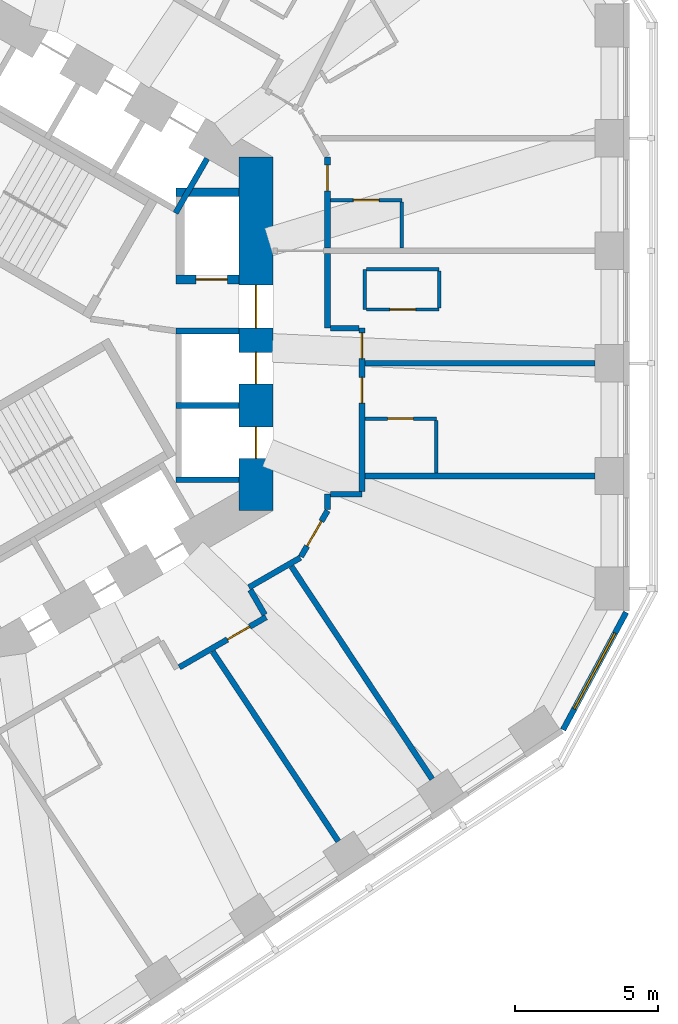
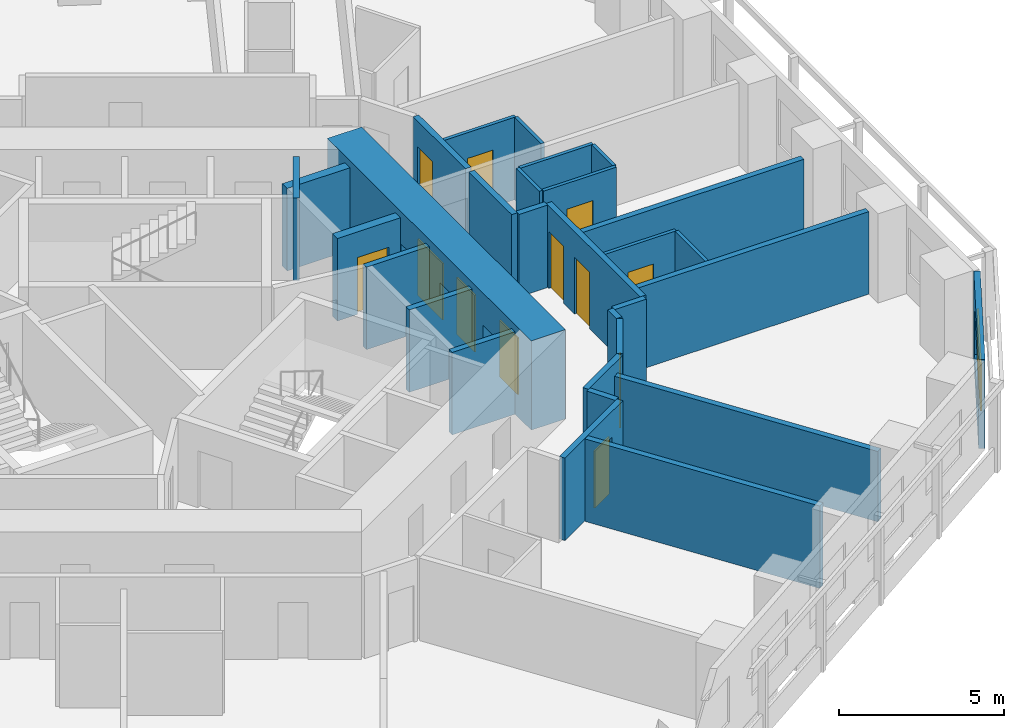
# One storey, part 6 of 12: 30 walls, 12 doors, 1 window, 13 openings.
"""IFC4 building model written with IfcOpenShell, lengths in metres."""

from ifc_helpers import new_model, si_unit, direction, frame, frame_2d, origin, place, context, subcontext, project, spatial, rectangle, extrude, material, layer, layer_set, type_object, element, fill, save


model = new_model("IFC4")

# Units and contexts
model_context = context("Model", 3, precision=1e-05, world=origin(), true_north=direction((0.0, 1.0)))
body_context = subcontext(model_context, "Body", "Model", "MODEL_VIEW")
ifc_project = project(units=[si_unit("LENGTHUNIT", "METRE"), si_unit("AREAUNIT", "SQUARE_METRE"), si_unit("VOLUMEUNIT", "CUBIC_METRE"), si_unit("PLANEANGLEUNIT", "RADIAN"), si_unit("MASSUNIT", "GRAM", prefix="KILO")], contexts=[model_context])

# Site, building, storey
site_placement = place(None, origin())
site = spatial("IfcSite", under=ifc_project, at=site_placement, CompositionType="ELEMENT")
building_placement = place(site_placement, origin())
building = spatial("IfcBuilding", under=site, at=building_placement, Name="Vanh Sen Convention Tower", CompositionType="ELEMENT")
storey_placement = place(building_placement, frame((0.0, 0.0, 44.0)))
storey = spatial("IfcBuildingStorey", under=building, at=storey_placement, Name="L07", CompositionType="ELEMENT", Elevation=44.0)

# Wall, opening, door
ifc_material_1 = material(Name="Moisture-resistant gypsum board on steel studs", Category="steel")
ifc_layer_1 = layer(ifc_material_1, 0.1201171875)
ifc_layer_set_1 = layer_set([ifc_layer_1], Name="Moisture-resistant gypsum board on steel studs")
wall_type_1 = type_object("IfcWallType", Name="Bathroom partition 120", PredefinedType="PARTITIONING", material=ifc_layer_set_1)
wall_1_placement = place(storey_placement, frame((12.699951171875, 4.677490234375, 0.0), z_axis=(0.0, 0.0, 1.0), x_axis=(1.0, 0.0, 0.0)))
wall_1 = element("IfcWall", 1, at=wall_1_placement, inside=storey, type_object=wall_type_1, Name="Bathroom partition 120", PredefinedType="PARTITIONING", context=body_context, shape_type="SweptSolid", body=[
    extrude(rectangle(XDim=2.5, YDim=0.1201171875, at=frame_2d((1.25, 0.0))), origin(), (0.0, 0.0, 1.0), 3.050048828125),
])
opening_1_placement = place(wall_1_placement, frame((0.800048828125, 0.0, 0.0)))
opening_1 = element("IfcOpeningElement", 2, at=opening_1_placement, cuts=wall_1, Name="Opening D07106", PredefinedType="OPENING", context=body_context, shape_type="SweptSolid", body=[
    extrude(rectangle(XDim=0.89990234375, YDim=2.10009765625, at=frame_2d((0.449951171875, 1.050048828125))), frame((0.0, 0.070068359375, 0.0), z_axis=(0.0, -1.0, 0.0), x_axis=(1.0, 0.0, 0.0)), (0.0, 0.0, 1.0), 0.14013671875),
])
ifc_material_2 = material(Name="Laminate door in steel frame", Category="steel")
door_type_1 = type_object("IfcDoorType", Name="En-suite door 900", OperationType="SINGLE_SWING_LEFT", PredefinedType="DOOR", material=ifc_material_2)
door_1_placement = place(opening_1_placement, origin())
door_1 = element("IfcDoor", 3, at=door_1_placement, inside=storey, type_object=door_type_1, Name="En-suite door D07106", OperationType="SINGLE_SWING_LEFT", OverallHeight=2.10009765625, OverallWidth=0.89990234375, PredefinedType="DOOR", context=body_context, shape_type="SweptSolid", body=[
    extrude(rectangle(XDim=0.89990234375, YDim=2.10009765625, at=frame_2d((0.449951171875, 1.050048828125))), frame((0.0, 0.02490234375, 0.0), z_axis=(0.0, -1.0, 0.0), x_axis=(1.0, 0.0, 0.0)), (0.0, 0.0, 1.0), 0.050048828125),
])
fill(opening_1, door_1)

wall_2_placement = place(storey_placement, frame((13.90087890625, -2.964599609375, 0.0), z_axis=(0.0, 0.0, 1.0), x_axis=(1.0, 0.0, 0.0)))
wall_2 = element("IfcWall", 4, at=wall_2_placement, inside=storey, type_object=wall_type_1, Name="Bathroom partition 120", PredefinedType="PARTITIONING", context=body_context, shape_type="SweptSolid", body=[
    extrude(rectangle(XDim=2.5, YDim=0.1201171875, at=frame_2d((1.25, 0.0))), origin(), (0.0, 0.0, 1.0), 3.050048828125),
])
opening_2_placement = place(wall_2_placement, frame((0.800048828125, 0.0, 0.0)))
opening_2 = element("IfcOpeningElement", 5, at=opening_2_placement, cuts=wall_2, Name="Opening D07102", PredefinedType="OPENING", context=body_context, shape_type="SweptSolid", body=[
    extrude(rectangle(XDim=0.89990234375, YDim=2.10009765625, at=frame_2d((0.449951171875, 1.050048828125))), frame((0.0, 0.070068359375, 0.0), z_axis=(0.0, -1.0, 0.0), x_axis=(1.0, 0.0, 0.0)), (0.0, 0.0, 1.0), 0.14013671875),
])
door_2_placement = place(opening_2_placement, origin())
door_2 = element("IfcDoor", 6, at=door_2_placement, inside=storey, type_object=door_type_1, Name="En-suite door D07102", OperationType="SINGLE_SWING_LEFT", OverallHeight=2.10009765625, OverallWidth=0.89990234375, PredefinedType="DOOR", context=body_context, shape_type="SweptSolid", body=[
    extrude(rectangle(XDim=0.89990234375, YDim=2.10009765625, at=frame_2d((0.449951171875, 1.050048828125))), frame((0.0, 0.02490234375, 0.0), z_axis=(0.0, -1.0, 0.0), x_axis=(1.0, 0.0, 0.0)), (0.0, 0.0, 1.0), 0.050048828125),
])
fill(opening_2, door_2)

# Walls
wall_3_placement = place(storey_placement, frame((13.89990234375, 0.852783203125, 0.0), z_axis=(0.0, 0.0, 1.0), x_axis=(0.0, 1.0, 0.0)))
element("IfcWall", 7, at=wall_3_placement, inside=storey, type_object=wall_type_1, Name="Bathroom partition 120", PredefinedType="PARTITIONING", context=body_context, shape_type="SweptSolid", body=[
    extrude(rectangle(XDim=1.39990234375, YDim=0.1201171875, at=frame_2d((0.699951171875, 0.0))), origin(), (0.0, 0.0, 1.0), 3.050048828125),
])
wall_4_placement = place(storey_placement, frame((13.9599609375, 2.252685546875, 0.0), z_axis=(0.0, 0.0, 1.0), x_axis=(1.0, 0.0, 0.0)))
element("IfcWall", 8, at=wall_4_placement, inside=storey, type_object=wall_type_1, Name="Bathroom partition 120", PredefinedType="PARTITIONING", context=body_context, shape_type="SweptSolid", body=[
    extrude(rectangle(XDim=2.5400390625, YDim=0.1201171875, at=frame_2d((1.27001953125, 0.0))), origin(), (0.0, 0.0, 1.0), 3.050048828125),
])
wall_5_placement = place(storey_placement, frame((15.199951171875, 4.61767578125, 0.0), z_axis=(0.0, 0.0, 1.0), x_axis=(0.0, -1.0, 0.0)))
element("IfcWall", 9, at=wall_5_placement, inside=storey, type_object=wall_type_1, Name="Bathroom partition 120", PredefinedType="PARTITIONING", context=body_context, shape_type="SweptSolid", body=[
    extrude(rectangle(XDim=1.61328125, YDim=0.1201171875, at=frame_2d((0.806640625, 0.0))), origin(), (0.0, 0.0, 1.0), 3.050048828125),
])
wall_6_placement = place(storey_placement, frame((16.40087890625, -3.024658203125, 0.0), z_axis=(0.0, 0.0, 1.0), x_axis=(0.0, -1.0, 0.0)))
element("IfcWall", 10, at=wall_6_placement, inside=storey, type_object=wall_type_1, Name="Bathroom partition 120", PredefinedType="PARTITIONING", context=body_context, shape_type="SweptSolid", body=[
    extrude(rectangle(XDim=1.83984375, YDim=0.1201171875, at=frame_2d((0.919921875, 0.0))), origin(), (0.0, 0.0, 1.0), 3.050048828125),
])

# Wall, opening, door
wall_7_placement = place(storey_placement, frame((16.5, 0.852783203125, 0.0), z_axis=(0.0, 0.0, 1.0), x_axis=(-1.0, 0.0, 0.0)))
wall_7 = element("IfcWall", 11, at=wall_7_placement, inside=storey, type_object=wall_type_1, Name="Bathroom partition 120", PredefinedType="PARTITIONING", context=body_context, shape_type="SweptSolid", body=[
    extrude(rectangle(XDim=2.5400390625, YDim=0.1201171875, at=frame_2d((1.27001953125, 0.0))), origin(), (0.0, 0.0, 1.0), 3.050048828125),
])
opening_3_placement = place(wall_7_placement, frame((0.820068359375, 0.0, 0.0)))
opening_3 = element("IfcOpeningElement", 12, at=opening_3_placement, cuts=wall_7, Name="Opening D07104", PredefinedType="OPENING", context=body_context, shape_type="SweptSolid", body=[
    extrude(rectangle(XDim=0.89990234375, YDim=2.10009765625, at=frame_2d((0.449951171875, 1.050048828125))), frame((0.0, 0.070068359375, 0.0), z_axis=(0.0, -1.0, 0.0), x_axis=(1.0, 0.0, 0.0)), (0.0, 0.0, 1.0), 0.14013671875),
])
door_3_placement = place(opening_3_placement, origin())
door_3 = element("IfcDoor", 13, at=door_3_placement, inside=storey, type_object=door_type_1, Name="En-suite door D07104", OperationType="SINGLE_SWING_LEFT", OverallHeight=2.10009765625, OverallWidth=0.89990234375, PredefinedType="DOOR", context=body_context, shape_type="SweptSolid", body=[
    extrude(rectangle(XDim=0.89990234375, YDim=2.10009765625, at=frame_2d((0.449951171875, 1.050048828125))), frame((0.0, 0.02490234375, 0.0), z_axis=(0.0, -1.0, 0.0), x_axis=(1.0, 0.0, 0.0)), (0.0, 0.0, 1.0), 0.050048828125),
])
fill(opening_3, door_3)

# Wall
wall_8_placement = place(storey_placement, frame((16.5, 2.19287109375, 0.0), z_axis=(0.0, 0.0, 1.0), x_axis=(0.0, -1.0, 0.0)))
element("IfcWall", 14, at=wall_8_placement, inside=storey, type_object=wall_type_1, Name="Bathroom partition 120", PredefinedType="PARTITIONING", context=body_context, shape_type="SweptSolid", body=[
    extrude(rectangle(XDim=1.280029296875, YDim=0.1201171875, at=frame_2d((0.64013671875, 0.0))), origin(), (0.0, 0.0, 1.0), 3.050048828125),
])

# Wall, openings, doors
ifc_material_3 = material(Name="Concrete C80/95", Category="concrete")
ifc_layer_2 = layer(ifc_material_3, 1.199951171875)
ifc_layer_set_2 = layer_set([ifc_layer_2], Name="Concrete C80/95")
wall_type_2 = type_object("IfcWallType", Name="Core outer wall 1200 C80/95", PredefinedType="SHEAR", material=ifc_layer_set_2)
wall_9_placement = place(storey_placement, frame((10.10009765625, -6.177490234375, 0.0), z_axis=(0.0, 0.0, 1.0), x_axis=(0.0, 1.0, 0.0)))
wall_9 = element("IfcWall", 15, at=wall_9_placement, inside=storey, type_object=wall_type_2, Name="Core wall face E L07", PredefinedType="SHEAR", context=body_context, shape_type="SweptSolid", body=[
    extrude(rectangle(XDim=12.35498046875, YDim=1.199951171875, at=frame_2d((6.177490234375, 0.0))), origin(), (0.0, 0.0, 1.0), 3.300048828125),
])
opening_4_placement = place(wall_9_placement, frame((6.377685546875, 0.0, 0.0)))
opening_4 = element("IfcOpeningElement", 16, at=opening_4_placement, cuts=wall_9, Name="Opening D07001", PredefinedType="OPENING", context=body_context, shape_type="SweptSolid", body=[
    extrude(rectangle(XDim=1.5, YDim=2.10009765625, at=frame_2d((0.75, 1.050048828125))), frame((0.0, 0.60986328125, 0.0), z_axis=(0.0, -1.0, 0.0), x_axis=(1.0, 0.0, 0.0)), (0.0, 0.0, 1.0), 1.219970703125),
])
opening_5_placement = place(wall_9_placement, frame((1.82763671875, 0.0, 0.0)))
opening_5 = element("IfcOpeningElement", 17, at=opening_5_placement, cuts=wall_9, Name="Opening LD-LR1", PredefinedType="OPENING", context=body_context, shape_type="SweptSolid", body=[
    extrude(rectangle(XDim=1.10009765625, YDim=2.10009765625, at=frame_2d((0.550048828125, 1.050048828125))), frame((0.0, 0.60986328125, 0.0), z_axis=(0.0, -1.0, 0.0), x_axis=(1.0, 0.0, 0.0)), (0.0, 0.0, 1.0), 1.219970703125),
])
opening_6_placement = place(wall_9_placement, frame((4.427490234375, 0.0, 0.0)))
opening_6 = element("IfcOpeningElement", 18, at=opening_6_placement, cuts=wall_9, Name="Opening LD-LR2", PredefinedType="OPENING", context=body_context, shape_type="SweptSolid", body=[
    extrude(rectangle(XDim=1.10009765625, YDim=2.10009765625, at=frame_2d((0.550048828125, 1.050048828125))), frame((0.0, 0.60986328125, 0.0), z_axis=(0.0, -1.0, 0.0), x_axis=(1.0, 0.0, 0.0)), (0.0, 0.0, 1.0), 1.219970703125),
])
ifc_material_4 = material(Name="Stainless steel", Category="steel")
door_type_2 = type_object("IfcDoorType", Name="Lift landing door 1100", OperationType="DOUBLE_DOOR_SLIDING", PredefinedType="DOOR", material=ifc_material_4)
door_4_placement = place(opening_5_placement, origin())
door_4 = element("IfcDoor", 19, at=door_4_placement, inside=storey, type_object=door_type_2, Name="Lift LR1 landing door LD-LR1", OperationType="DOUBLE_DOOR_SLIDING", OverallHeight=2.10009765625, OverallWidth=1.10009765625, PredefinedType="DOOR", context=body_context, shape_type="SweptSolid", body=[
    extrude(rectangle(XDim=1.10009765625, YDim=2.10009765625, at=frame_2d((0.550048828125, 1.050048828125))), frame((0.0, 0.02490234375, 0.0), z_axis=(0.0, -1.0, 0.0), x_axis=(1.0, 0.0, 0.0)), (0.0, 0.0, 1.0), 0.050048828125),
])
fill(opening_5, door_4)
door_5_placement = place(opening_6_placement, origin())
door_5 = element("IfcDoor", 20, at=door_5_placement, inside=storey, type_object=door_type_2, Name="Lift LR2 landing door LD-LR2", OperationType="DOUBLE_DOOR_SLIDING", OverallHeight=2.10009765625, OverallWidth=1.10009765625, PredefinedType="DOOR", context=body_context, shape_type="SweptSolid", body=[
    extrude(rectangle(XDim=1.10009765625, YDim=2.10009765625, at=frame_2d((0.550048828125, 1.050048828125))), frame((0.0, 0.02490234375, 0.0), z_axis=(0.0, -1.0, 0.0), x_axis=(1.0, 0.0, 0.0)), (0.0, 0.0, 1.0), 0.050048828125),
])
fill(opening_6, door_5)
ifc_material_5 = material(Name="Steel S355", Category="steel")
door_type_3 = type_object("IfcDoorType", Name="Stair lobby door 1500", OperationType="DOUBLE_DOOR_SINGLE_SWING", PredefinedType="DOOR", material=ifc_material_5)
door_6_placement = place(opening_4_placement, origin())
door_6 = element("IfcDoor", 21, at=door_6_placement, inside=storey, type_object=door_type_3, Name="Stair lobby door D07001", OperationType="DOUBLE_DOOR_SINGLE_SWING", OverallHeight=2.10009765625, OverallWidth=1.5, PredefinedType="DOOR", context=body_context, shape_type="SweptSolid", body=[
    extrude(rectangle(XDim=1.5, YDim=2.10009765625, at=frame_2d((0.75, 1.050048828125))), frame((0.0, 0.02490234375, 0.0), z_axis=(0.0, -1.0, 0.0), x_axis=(1.0, 0.0, 0.0)), (0.0, 0.0, 1.0), 0.050048828125),
])
fill(opening_4, door_6)

# Wall, opening, door
ifc_material_6 = material(Name="Gypsum board on steel studs with mineral wool", Category="steel")
ifc_layer_3 = layer(ifc_material_6, 0.199951171875)
ifc_layer_set_3 = layer_set([ifc_layer_3], Name="Gypsum board on steel studs with mineral wool")
wall_type_3 = type_object("IfcWallType", Name="Corridor partition wall 200", PredefinedType="PARTITIONING", material=ifc_layer_set_3)
wall_10_placement = place(storey_placement, frame((7.419189453125, -11.652587890625, 0.0), z_axis=(0.0, 0.0, 1.0), x_axis=(0.866038154057, 0.49997791523, 0.0)))
wall_10 = element("IfcWall", 22, at=wall_10_placement, inside=storey, type_object=wall_type_3, Name="Corridor partition wall 200", PredefinedType="PARTITIONING", context=body_context, shape_type="SweptSolid", body=[
    extrude(rectangle(XDim=3.502197265625, YDim=0.199951171875, at=frame_2d((1.7509765625, 0.0))), origin(), (0.0, 0.0, 1.0), 3.050048828125),
])
opening_7_placement = place(wall_10_placement, frame((1.939697265625, 0.0, 0.0)))
opening_7 = element("IfcOpeningElement", 23, at=opening_7_placement, cuts=wall_10, Name="Opening D07131", PredefinedType="OPENING", context=body_context, shape_type="SweptSolid", body=[
    extrude(rectangle(XDim=0.89990234375, YDim=2.10009765625, at=frame_2d((0.449951171875, 1.050048828125))), frame((0.0, 0.10986328125, 0.0), z_axis=(0.0, -1.0, 0.0), x_axis=(1.0, 0.0, 0.0)), (0.0, 0.0, 1.0), 0.219970703125),
])
ifc_material_7 = material(Name="Timber fire door in steel frame", Category="steel")
door_type_4 = type_object("IfcDoorType", Name="Floor service door 900", OperationType="SINGLE_SWING_LEFT", PredefinedType="DOOR", material=ifc_material_7)
door_7_placement = place(opening_7_placement, origin())
door_7 = element("IfcDoor", 24, at=door_7_placement, inside=storey, type_object=door_type_4, Name="Service room door D07131", OperationType="SINGLE_SWING_LEFT", OverallHeight=2.10009765625, OverallWidth=0.89990234375, PredefinedType="DOOR", context=body_context, shape_type="SweptSolid", body=[
    extrude(rectangle(XDim=0.89990234375, YDim=2.10009765625, at=frame_2d((0.449951171875, 1.050048828125))), frame((0.0, 0.02490234375, 0.0), z_axis=(0.0, -1.0, 0.0), x_axis=(1.0, 0.0, 0.0)), (0.0, 0.0, 1.0), 0.050048828125),
])
fill(opening_7, door_7)

# Walls
wall_11_placement = place(storey_placement, frame((9.8515625, -8.861328125, 0.0), z_axis=(0.0, 0.0, 1.0), x_axis=(0.866013291437, 0.500020978615, 0.0)))
element("IfcWall", 25, at=wall_11_placement, inside=storey, type_object=wall_type_3, Name="Corridor partition wall 200", PredefinedType="PARTITIONING", context=body_context, shape_type="SweptSolid", body=[
    extrude(rectangle(XDim=2.07666015625, YDim=0.199951171875, at=frame_2d((1.038330078125, 0.0))), origin(), (0.0, 0.0, 1.0), 3.050048828125),
])
wall_12_placement = place(storey_placement, frame((10.402099609375, -9.81494140625, 0.0), z_axis=(0.0, 0.0, 1.0), x_axis=(-0.499968756647, 0.866043441391, 0.0)))
element("IfcWall", 26, at=wall_12_placement, inside=storey, type_object=wall_type_3, Name="Corridor partition wall 200", PredefinedType="PARTITIONING", context=body_context, shape_type="SweptSolid", body=[
    extrude(rectangle(XDim=1.0009765625, YDim=0.199951171875, at=frame_2d((0.50048828125, 0.0))), origin(), (0.0, 0.0, 1.0), 3.050048828125),
])

# Wall, opening, door
wall_13_placement = place(storey_placement, frame((11.669921875, -7.788330078125, 0.0), z_axis=(0.0, 0.0, 1.0), x_axis=(0.500063286585, 0.865988862174, 0.0)))
wall_13 = element("IfcWall", 27, at=wall_13_placement, inside=storey, type_object=wall_type_3, Name="Corridor partition wall 200", PredefinedType="PARTITIONING", context=body_context, shape_type="SweptSolid", body=[
    extrude(rectangle(XDim=1.860107421875, YDim=0.199951171875, at=frame_2d((0.93017578125, 0.0))), origin(), (0.0, 0.0, 1.0), 3.050048828125),
])
opening_8_placement = place(wall_13_placement, frame((0.429931640625, 0.0, 0.0)))
opening_8 = element("IfcOpeningElement", 28, at=opening_8_placement, cuts=wall_13, Name="Opening D07132", PredefinedType="OPENING", context=body_context, shape_type="SweptSolid", body=[
    extrude(rectangle(XDim=1.0, YDim=2.10009765625, at=frame_2d((0.5, 1.050048828125))), frame((0.0, 0.10986328125, 0.0), z_axis=(0.0, -1.0, 0.0), x_axis=(1.0, 0.0, 0.0)), (0.0, 0.0, 1.0), 0.219970703125),
])
door_type_5 = type_object("IfcDoorType", Name="Floor room door 1000", OperationType="SINGLE_SWING_LEFT", PredefinedType="DOOR", material=ifc_material_7)
door_8_placement = place(opening_8_placement, origin())
door_8 = element("IfcDoor", 29, at=door_8_placement, inside=storey, type_object=door_type_5, Name="Meeting and amenity room door D07132", OperationType="SINGLE_SWING_LEFT", OverallHeight=2.10009765625, OverallWidth=1.0, PredefinedType="DOOR", context=body_context, shape_type="SweptSolid", body=[
    extrude(rectangle(XDim=1.0, YDim=2.10009765625, at=frame_2d((0.5, 1.050048828125))), frame((0.0, 0.02490234375, 0.0), z_axis=(0.0, -1.0, 0.0), x_axis=(1.0, 0.0, 0.0)), (0.0, 0.0, 1.0), 0.050048828125),
])
fill(opening_8, door_8)

# Walls
wall_14_placement = place(storey_placement, frame((12.60009765625, -6.1376953125, 0.0), z_axis=(0.0, 0.0, 1.0), x_axis=(0.0, 1.0, 0.0)))
element("IfcWall", 30, at=wall_14_placement, inside=storey, type_object=wall_type_3, Name="Corridor partition wall 200", PredefinedType="PARTITIONING", context=body_context, shape_type="SweptSolid", body=[
    extrude(rectangle(XDim=0.53662109375, YDim=0.199951171875, at=frame_2d((0.268310546875, 0.0))), origin(), (0.0, 0.0, 1.0), 3.050048828125),
])
wall_15_placement = place(storey_placement, frame((12.60009765625, 0.200927734375, 0.0), z_axis=(0.0, 0.0, 1.0), x_axis=(0.0, 1.0, 0.0)))
element("IfcWall", 31, at=wall_15_placement, inside=storey, type_object=wall_type_3, Name="Corridor partition wall 200", PredefinedType="PARTITIONING", context=body_context, shape_type="SweptSolid", body=[
    extrude(rectangle(XDim=2.603515625, YDim=0.199951171875, at=frame_2d((1.3017578125, 0.0))), origin(), (0.0, 0.0, 1.0), 3.050048828125),
])

# Wall, opening, door
wall_16_placement = place(storey_placement, frame((12.60009765625, 3.00439453125, 0.0), z_axis=(0.0, 0.0, 1.0), x_axis=(0.0, 1.0, 0.0)))
wall_16 = element("IfcWall", 32, at=wall_16_placement, inside=storey, type_object=wall_type_3, Name="Corridor partition wall 200", PredefinedType="PARTITIONING", context=body_context, shape_type="SweptSolid", body=[
    extrude(rectangle(XDim=3.173095703125, YDim=0.199951171875, at=frame_2d((1.58642578125, 0.0))), origin(), (0.0, 0.0, 1.0), 3.050048828125),
])
opening_9_placement = place(wall_16_placement, frame((1.998046875, 0.0, 0.0)))
opening_9 = element("IfcOpeningElement", 33, at=opening_9_placement, cuts=wall_16, Name="Opening D07105", PredefinedType="OPENING", context=body_context, shape_type="SweptSolid", body=[
    extrude(rectangle(XDim=0.89990234375, YDim=2.10009765625, at=frame_2d((0.449951171875, 1.050048828125))), frame((0.0, 0.10986328125, 0.0), z_axis=(0.0, -1.0, 0.0), x_axis=(1.0, 0.0, 0.0)), (0.0, 0.0, 1.0), 0.219970703125),
])
door_type_6 = type_object("IfcDoorType", Name="Guest room door 900", OperationType="SINGLE_SWING_LEFT", PredefinedType="DOOR", material=ifc_material_7)
door_9_placement = place(opening_9_placement, origin())
door_9 = element("IfcDoor", 34, at=door_9_placement, inside=storey, type_object=door_type_6, Name="Hotel guest room door D07105", OperationType="SINGLE_SWING_LEFT", OverallHeight=2.10009765625, OverallWidth=0.89990234375, PredefinedType="DOOR", context=body_context, shape_type="SweptSolid", body=[
    extrude(rectangle(XDim=0.89990234375, YDim=2.10009765625, at=frame_2d((0.449951171875, 1.050048828125))), frame((0.0, 0.02490234375, 0.0), z_axis=(0.0, -1.0, 0.0), x_axis=(1.0, 0.0, 0.0)), (0.0, 0.0, 1.0), 0.050048828125),
])
fill(opening_9, door_9)

# Walls
wall_17_placement = place(storey_placement, frame((12.699951171875, -5.60107421875, 0.0), z_axis=(0.0, 0.0, 1.0), x_axis=(1.0, 0.0, 0.0)))
element("IfcWall", 35, at=wall_17_placement, inside=storey, type_object=wall_type_3, Name="Corridor partition wall 200", PredefinedType="PARTITIONING", context=body_context, shape_type="SweptSolid", body=[
    extrude(rectangle(XDim=1.10107421875, YDim=0.199951171875, at=frame_2d((0.550537109375, 0.0))), origin(), (0.0, 0.0, 1.0), 3.050048828125),
])
wall_18_placement = place(storey_placement, frame((13.700927734375, 0.200927734375, 0.0), z_axis=(0.0, 0.0, 1.0), x_axis=(-1.0, 0.0, 0.0)))
element("IfcWall", 36, at=wall_18_placement, inside=storey, type_object=wall_type_3, Name="Corridor partition wall 200", PredefinedType="PARTITIONING", context=body_context, shape_type="SweptSolid", body=[
    extrude(rectangle(XDim=1.0009765625, YDim=0.199951171875, at=frame_2d((0.50048828125, 0.0))), origin(), (0.0, 0.0, 1.0), 3.050048828125),
])

# Wall, openings, doors
wall_19_placement = place(storey_placement, frame((13.801025390625, -5.5009765625, 0.0), z_axis=(0.0, 0.0, 1.0), x_axis=(0.0, 1.0, 0.0)))
wall_19 = element("IfcWall", 37, at=wall_19_placement, inside=storey, type_object=wall_type_3, Name="Corridor partition wall 200", PredefinedType="PARTITIONING", context=body_context, shape_type="SweptSolid", body=[
    extrude(rectangle(XDim=5.701904296875, YDim=0.199951171875, at=frame_2d((2.85107421875, 0.0))), origin(), (0.0, 0.0, 1.0), 3.050048828125),
])
opening_10_placement = place(wall_19_placement, frame((3.07861328125, 0.0, 0.0)))
opening_10 = element("IfcOpeningElement", 38, at=opening_10_placement, cuts=wall_19, Name="Opening D07101", PredefinedType="OPENING", context=body_context, shape_type="SweptSolid", body=[
    extrude(rectangle(XDim=0.89990234375, YDim=2.10009765625, at=frame_2d((0.449951171875, 1.050048828125))), frame((0.0, 0.10986328125, 0.0), z_axis=(0.0, -1.0, 0.0), x_axis=(1.0, 0.0, 0.0)), (0.0, 0.0, 1.0), 0.219970703125),
])
opening_11_placement = place(wall_19_placement, frame((4.636474609375, 0.0, 0.0)))
opening_11 = element("IfcOpeningElement", 39, at=opening_11_placement, cuts=wall_19, Name="Opening D07103", PredefinedType="OPENING", context=body_context, shape_type="SweptSolid", body=[
    extrude(rectangle(XDim=0.89990234375, YDim=2.10009765625, at=frame_2d((0.449951171875, 1.050048828125))), frame((0.0, 0.10986328125, 0.0), z_axis=(0.0, -1.0, 0.0), x_axis=(1.0, 0.0, 0.0)), (0.0, 0.0, 1.0), 0.219970703125),
])
door_10_placement = place(opening_10_placement, origin())
door_10 = element("IfcDoor", 40, at=door_10_placement, inside=storey, type_object=door_type_6, Name="Hotel guest room door D07101", OperationType="SINGLE_SWING_LEFT", OverallHeight=2.10009765625, OverallWidth=0.89990234375, PredefinedType="DOOR", context=body_context, shape_type="SweptSolid", body=[
    extrude(rectangle(XDim=0.89990234375, YDim=2.10009765625, at=frame_2d((0.449951171875, 1.050048828125))), frame((0.0, 0.02490234375, 0.0), z_axis=(0.0, -1.0, 0.0), x_axis=(1.0, 0.0, 0.0)), (0.0, 0.0, 1.0), 0.050048828125),
])
fill(opening_10, door_10)
door_11_placement = place(opening_11_placement, origin())
door_11 = element("IfcDoor", 41, at=door_11_placement, inside=storey, type_object=door_type_6, Name="Hotel guest room door D07103", OperationType="SINGLE_SWING_LEFT", OverallHeight=2.10009765625, OverallWidth=0.89990234375, PredefinedType="DOOR", context=body_context, shape_type="SweptSolid", body=[
    extrude(rectangle(XDim=0.89990234375, YDim=2.10009765625, at=frame_2d((0.449951171875, 1.050048828125))), frame((0.0, 0.02490234375, 0.0), z_axis=(0.0, -1.0, 0.0), x_axis=(1.0, 0.0, 0.0)), (0.0, 0.0, 1.0), 0.050048828125),
])
fill(opening_11, door_11)

# Wall, opening, window
ifc_material_8 = material(Name="Insulated lightweight infill wall")
ifc_layer_4 = layer(ifc_material_8, 0.199951171875)
ifc_layer_set_4 = layer_set([ifc_layer_4], Name="Insulated lightweight infill wall")
wall_type_4 = type_object("IfcWallType", Name="External wall 200", PredefinedType="STANDARD", material=ifc_layer_set_4)
wall_20_placement = place(storey_placement, frame((20.83251953125, -13.838623046875, 0.0), z_axis=(0.0, 0.0, 1.0), x_axis=(0.473321668581, 0.880889662813, 0.0)))
wall_20 = element("IfcWall", 42, at=wall_20_placement, inside=storey, type_object=wall_type_4, Name="External wall CH6 L07", PredefinedType="STANDARD", context=body_context, shape_type="SweptSolid", body=[
    extrude(rectangle(XDim=4.65966796875, YDim=0.199951171875, at=frame_2d((2.329833984375, 0.0))), origin(), (0.0, 0.0, 1.0), 3.300048828125),
])
opening_12_placement = place(wall_20_placement, frame((0.829833984375, 0.0, 0.800048828125)))
opening_12 = element("IfcOpeningElement", 43, at=opening_12_placement, cuts=wall_20, Name="Opening WH2-CH61", PredefinedType="OPENING", context=body_context, shape_type="SweptSolid", body=[
    extrude(rectangle(XDim=3.0, YDim=1.699951171875, at=frame_2d((1.5, 0.85009765625))), frame((0.0, 0.10986328125, 0.0), z_axis=(0.0, -1.0, 0.0), x_axis=(1.0, 0.0, 0.0)), (0.0, 0.0, 1.0), 0.219970703125),
])
ifc_material_9 = material(Name="Aluminium frame with clear low-emissivity glass", Category="aluminium")
window_type = type_object("IfcWindowType", Name="Hotel window 3000 x 1700", PartitioningType="SINGLE_PANEL", PredefinedType="WINDOW", material=ifc_material_9)
window_placement = place(opening_12_placement, origin())
window = element("IfcWindow", 44, at=window_placement, inside=storey, type_object=window_type, Name="Window WH2-CH61", OverallHeight=1.699951171875, OverallWidth=3.0, PartitioningType="SINGLE_PANEL", PredefinedType="WINDOW", context=body_context, shape_type="SweptSolid", body=[
    extrude(rectangle(XDim=3.0, YDim=1.699951171875, at=frame_2d((1.5, 0.85009765625))), frame((0.0, 0.030029296875, 0.0), z_axis=(0.0, -1.0, 0.0), x_axis=(1.0, 0.0, 0.0)), (0.0, 0.0, 1.0), 0.06005859375),
])
fill(opening_12, window)

# Wall, opening, door
ifc_material_10 = material(Name="Concrete C60/75", Category="concrete")
ifc_layer_5 = layer(ifc_material_10, 0.300048828125)
ifc_layer_set_5 = layer_set([ifc_layer_5], Name="Concrete C60/75")
wall_type_5 = type_object("IfcWallType", Name="Fire-fighting lift shaft wall 300", PredefinedType="SHEAR", material=ifc_layer_set_5)
wall_21_placement = place(storey_placement, frame((7.300048828125, 1.89990234375, 0.0), z_axis=(0.0, 0.0, 1.0), x_axis=(1.0, 0.0, 0.0)))
wall_21 = element("IfcWall", 45, at=wall_21_placement, inside=storey, type_object=wall_type_5, Name="Fire-fighting lift shaft wall L07", PredefinedType="SHEAR", context=body_context, shape_type="SweptSolid", body=[
    extrude(rectangle(XDim=2.199951171875, YDim=0.300048828125, at=frame_2d((1.10009765625, 0.0))), origin(), (0.0, 0.0, 1.0), 3.050048828125),
])
opening_13_placement = place(wall_21_placement, frame((0.699951171875, 0.0, 0.0)))
opening_13 = element("IfcOpeningElement", 46, at=opening_13_placement, cuts=wall_21, Name="Opening LD-FF1", PredefinedType="OPENING", context=body_context, shape_type="SweptSolid", body=[
    extrude(rectangle(XDim=1.10009765625, YDim=2.10009765625, at=frame_2d((0.550048828125, 1.050048828125))), frame((0.0, 0.159912109375, 0.0), z_axis=(0.0, -1.0, 0.0), x_axis=(1.0, 0.0, 0.0)), (0.0, 0.0, 1.0), 0.320068359375),
])
door_type_7 = type_object("IfcDoorType", Name="Fire-fighting lift landing door 1100", OperationType="DOUBLE_DOOR_SLIDING", PredefinedType="DOOR", material=ifc_material_4)
door_12_placement = place(opening_13_placement, origin())
door_12 = element("IfcDoor", 47, at=door_12_placement, inside=storey, type_object=door_type_7, Name="Lift FF1 landing door LD-FF1", OperationType="DOUBLE_DOOR_SLIDING", OverallHeight=2.10009765625, OverallWidth=1.10009765625, PredefinedType="DOOR", context=body_context, shape_type="SweptSolid", body=[
    extrude(rectangle(XDim=1.10009765625, YDim=2.10009765625, at=frame_2d((0.550048828125, 1.050048828125))), frame((0.0, 0.02490234375, 0.0), z_axis=(0.0, -1.0, 0.0), x_axis=(1.0, 0.0, 0.0)), (0.0, 0.0, 1.0), 0.050048828125),
])
fill(opening_13, door_12)

# Walls
wall_22_placement = place(storey_placement, frame((7.300048828125, 4.949951171875, 0.0), z_axis=(0.0, 0.0, 1.0), x_axis=(1.0, 0.0, 0.0)))
element("IfcWall", 48, at=wall_22_placement, inside=storey, type_object=wall_type_5, Name="Fire-fighting lift shaft wall L07", PredefinedType="SHEAR", context=body_context, shape_type="SweptSolid", body=[
    extrude(rectangle(XDim=2.199951171875, YDim=0.300048828125, at=frame_2d((1.10009765625, 0.0))), origin(), (0.0, 0.0, 1.0), 3.050048828125),
])
ifc_layer_6 = layer(ifc_material_6, 0.199951171875)
ifc_layer_set_6 = layer_set([ifc_layer_6], Name="Gypsum board on steel studs with mineral wool")
wall_type_6 = type_object("IfcWallType", Name="Hotel party wall 200", PredefinedType="PARTITIONING", material=ifc_layer_set_6)
wall_23_placement = place(storey_placement, frame((12.973876953125, -17.7353515625, 0.0), z_axis=(0.0, 0.0, 1.0), x_axis=(-0.55192625685, 0.833892922982, 0.0)))
element("IfcWall", 49, at=wall_23_placement, inside=storey, type_object=wall_type_6, Name="Hotel party wall 200", PredefinedType="PARTITIONING", context=body_context, shape_type="SweptSolid", body=[
    extrude(rectangle(XDim=7.9501953125, YDim=0.199951171875, at=frame_2d((3.97509765625, 0.0))), origin(), (0.0, 0.0, 1.0), 3.050048828125),
])
wall_24_placement = place(storey_placement, frame((13.90087890625, -4.964599609375, 0.0), z_axis=(0.0, 0.0, 1.0), x_axis=(1.0, 0.0, 0.0)))
element("IfcWall", 50, at=wall_24_placement, inside=storey, type_object=wall_type_6, Name="Hotel party wall 200", PredefinedType="PARTITIONING", context=body_context, shape_type="SweptSolid", body=[
    extrude(rectangle(XDim=8.049072265625, YDim=0.199951171875, at=frame_2d((4.0244140625, 0.0))), origin(), (0.0, 0.0, 1.0), 3.050048828125),
])
wall_25_placement = place(storey_placement, frame((16.2548828125, -15.563720703125, 0.0), z_axis=(0.0, 0.0, 1.0), x_axis=(-0.55192208744, 0.833895682562, 0.0)))
element("IfcWall", 51, at=wall_25_placement, inside=storey, type_object=wall_type_6, Name="Hotel party wall 200", PredefinedType="PARTITIONING", context=body_context, shape_type="SweptSolid", body=[
    extrude(rectangle(XDim=8.912841796875, YDim=0.199951171875, at=frame_2d((4.45654296875, 0.0))), origin(), (0.0, 0.0, 1.0), 2.60009765625),
])
wall_26_placement = place(storey_placement, frame((21.949951171875, -1.030029296875, 0.0), z_axis=(0.0, 0.0, 1.0), x_axis=(-1.0, 0.0, 0.0)))
element("IfcWall", 52, at=wall_26_placement, inside=storey, type_object=wall_type_6, Name="Hotel party wall 200", PredefinedType="PARTITIONING", context=body_context, shape_type="SweptSolid", body=[
    extrude(rectangle(XDim=8.049072265625, YDim=0.199951171875, at=frame_2d((4.0244140625, 0.0))), origin(), (0.0, 0.0, 1.0), 2.60009765625),
])
ifc_material_11 = material(Name="Concrete C40/50", Category="concrete")
ifc_layer_7 = layer(ifc_material_11, 0.199951171875)
ifc_layer_set_7 = layer_set([ifc_layer_7], Name="Concrete C40/50")
wall_type_7 = type_object("IfcWallType", Name="Lift shaft wall 200", PredefinedType="PARTITIONING", material=ifc_layer_set_7)
for number, where, z_axis, x_axis, name in (
    (53, (7.300048828125, -5.10009765625, 0.0), (0.0, 0.0, 1.0), (1.0, 0.0, 0.0), "Lift shaft wall L07"),
    (54, (7.300048828125, -2.5, 0.0), (0.0, 0.0, 1.0), (1.0, 0.0, 0.0), "Lift shaft wall L07"),
    (55, (7.300048828125, 0.10009765625, 0.0), (0.0, 0.0, 1.0), (1.0, 0.0, 0.0), "Lift shaft wall L07"),
    (56, (7.287353515625, 4.221923828125, 0.0), (0.0, 0.0, 1.0), (0.499946605688, 0.86605622881, 0.0), "Lift shaft wall L07"),
):
    element("IfcWall", number, at=place(storey_placement, frame(where, z_axis=z_axis, x_axis=x_axis)), inside=storey, type_object=wall_type_7, Name=name, PredefinedType="PARTITIONING", context=body_context, shape_type="SweptSolid", body=[
        extrude(rectangle(XDim=2.199951171875, YDim=0.199951171875, at=frame_2d((1.10009765625, 0.0))), origin(), (0.0, 0.0, 1.0), 3.050048828125),
    ])

save(model, "model.ifc")
